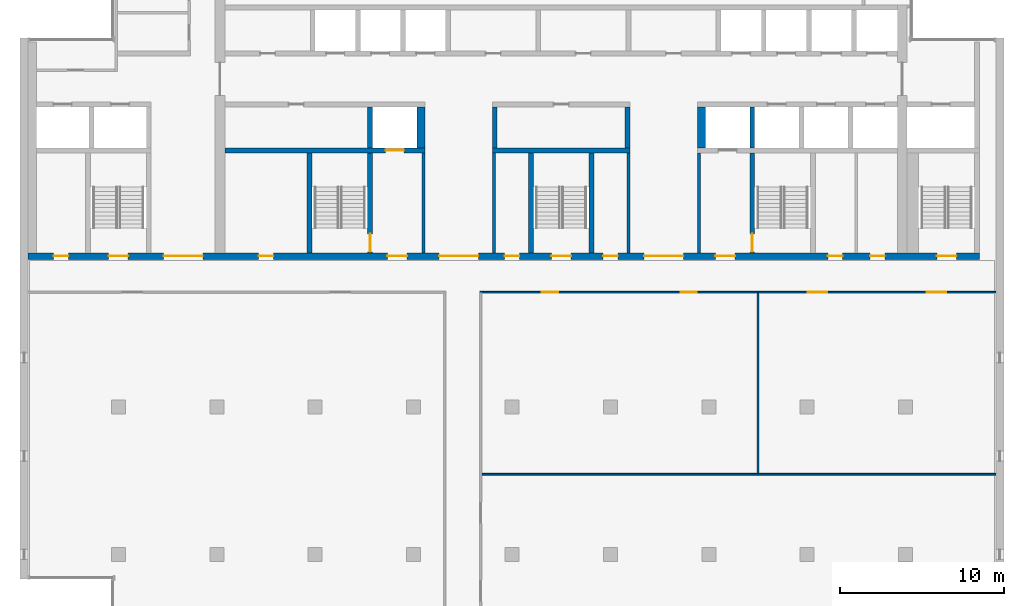
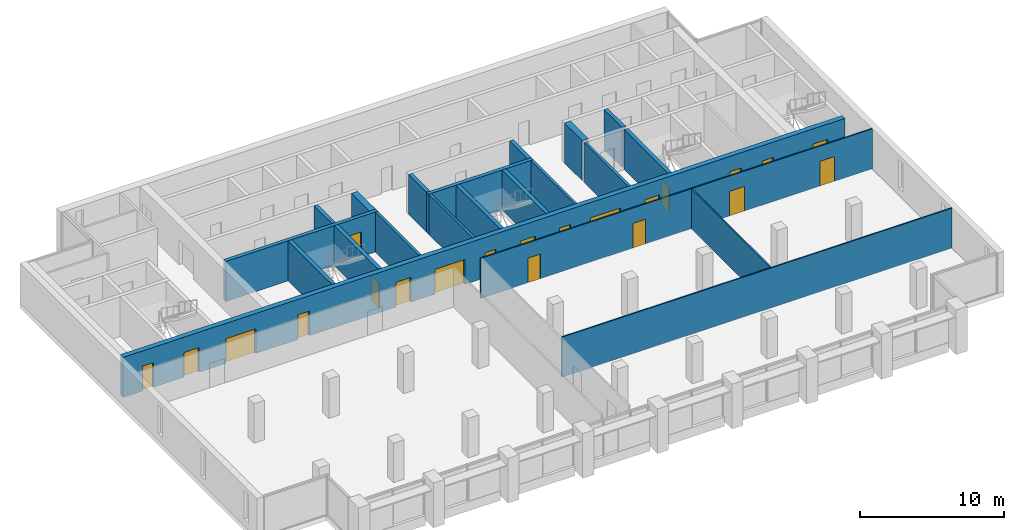
# One storey, part 8 of 14: 21 doors, 21 walls, 21 openings.
"""IFC4 building model written with IfcOpenShell, lengths in metres."""

from ifc_helpers import new_model, si_unit, direction, frame, frame_2d, origin, place, context, subcontext, project, spatial, rectangle, extrude, material, layer, layer_set, type_object, element, fill, save


model = new_model("IFC4")

# Units and contexts
model_context = context("Model", 3, precision=1e-05, world=origin(), true_north=direction((0.0, 1.0)))
body_context = subcontext(model_context, "Body", "Model", "MODEL_VIEW")
ifc_project = project(units=[si_unit("LENGTHUNIT", "METRE"), si_unit("AREAUNIT", "SQUARE_METRE"), si_unit("VOLUMEUNIT", "CUBIC_METRE"), si_unit("PLANEANGLEUNIT", "RADIAN"), si_unit("MASSUNIT", "GRAM", prefix="KILO")], contexts=[model_context])

# Site, building, storey
site_placement = place(None, origin())
site = spatial("IfcSite", under=ifc_project, at=site_placement, CompositionType="ELEMENT")
building_placement = place(site_placement, origin())
building = spatial("IfcBuilding", under=site, at=building_placement, Name="Calvaro Tower", CompositionType="ELEMENT")
storey_placement = place(building_placement, frame((0.0, 0.0, 246.949951171875)))
storey = spatial("IfcBuildingStorey", under=building, at=storey_placement, Name="L62", CompositionType="ELEMENT", Elevation=246.949951171875)

# Walls
ifc_material_1 = material(Name="Blockwork partition", Category="masonry")
ifc_layer_1 = layer(ifc_material_1, 0.199951171875)
ifc_layer_set_1 = layer_set([ifc_layer_1], Name="Blockwork partition")
wall_type_1 = type_object("IfcWallType", Name="Core partition 200 REI 120", PredefinedType="PARTITIONING", material=ifc_layer_set_1)
for number, where, z_axis, x_axis, name in (
    (1, (30.60009765625, 28.39990234375, 0.0), (0.0, 0.0, 1.0), (0.0, 1.0, 0.0), "Core partition"),
    (2, (34.89990234375, 28.39990234375, 0.0), (0.0, 0.0, 1.0), (0.0, 1.0, 0.0), "Core partition"),
    (3, (43.10009765625, 28.39990234375, 0.0), (0.0, 0.0, 1.0), (0.0, 1.0, 0.0), "Core partition"),
    (4, (47.39990234375, 28.39990234375, 0.0), (0.0, 0.0, 1.0), (0.0, 1.0, 0.0), "Core partition"),
):
    element("IfcWall", number, at=place(storey_placement, frame(where, z_axis=z_axis, x_axis=x_axis)), inside=storey, type_object=wall_type_1, Name=name, PredefinedType="PARTITIONING", context=body_context, shape_type="SweptSolid", body=[
        extrude(rectangle(XDim=6.10009765625, YDim=0.199951171875, at=frame_2d((3.050048828125, 0.0))), origin(), (0.0, 0.0, 1.0), 3.400146484375),
    ])
ifc_material_2 = material(Name="Concrete C40/50", Category="concrete")
ifc_layer_2 = layer(ifc_material_2, 0.300048828125)
ifc_layer_set_2 = layer_set([ifc_layer_2], Name="Concrete C40/50")
wall_type_2 = type_object("IfcWallType", Name="Core wall C40/50 300", PredefinedType="SHEAR", material=ifc_layer_set_2)
wall_1_placement = place(storey_placement, frame((23.64990234375, 28.39990234375, 0.0), z_axis=(0.0, 0.0, 1.0), x_axis=(0.0, 1.0, 0.0)))
element("IfcWall", 5, at=wall_1_placement, inside=storey, type_object=wall_type_2, Name="Core wall, stair enclosure", PredefinedType="SHEAR", context=body_context, shape_type="SweptSolid", body=[
    extrude(rectangle(XDim=6.10009765625, YDim=0.300048828125, at=frame_2d((3.050048828125, 0.0))), origin(), (0.0, 0.0, 1.0), 3.400146484375),
])

# Wall, opening, door
wall_2_placement = place(storey_placement, frame((27.35009765625, 28.39990234375, 0.0), z_axis=(0.0, 0.0, 1.0), x_axis=(0.0, 1.0, 0.0)))
wall_2 = element("IfcWall", 6, at=wall_2_placement, inside=storey, type_object=wall_type_2, Name="Core wall, stair enclosure", PredefinedType="SHEAR", context=body_context, shape_type="SweptSolid", body=[
    extrude(rectangle(XDim=6.10009765625, YDim=0.300048828125, at=frame_2d((3.050048828125, 0.0))), origin(), (0.0, 0.0, 1.0), 3.400146484375),
])
opening_1_placement = place(wall_2_placement, frame((0.050048828125, 0.0, 0.0)))
opening_1 = element("IfcOpeningElement", 7, at=opening_1_placement, cuts=wall_2, Name="Opening FD11D", PredefinedType="OPENING", context=body_context, shape_type="SweptSolid", body=[
    extrude(rectangle(XDim=1.10009765625, YDim=2.10009765625, at=frame_2d((0.550048828125, 1.050048828125))), frame((0.0, 0.159912109375, 0.0), z_axis=(0.0, -1.0, 0.0), x_axis=(1.0, 0.0, 0.0)), (0.0, 0.0, 1.0), 0.320068359375),
])
ifc_material_3 = material(Name="Steel door set", Category="steel")
door_type_1 = type_object("IfcDoorType", Name="Fire door 1100 FD30S", OperationType="SINGLE_SWING_LEFT", PredefinedType="DOOR", material=ifc_material_3)
door_1_placement = place(opening_1_placement, origin())
door_1 = element("IfcDoor", 8, at=door_1_placement, inside=storey, type_object=door_type_1, Name="Fire door", OperationType="SINGLE_SWING_LEFT", OverallHeight=2.10009765625, OverallWidth=1.10009765625, PredefinedType="DOOR", context=body_context, shape_type="SweptSolid", body=[
    extrude(rectangle(XDim=1.10009765625, YDim=2.10009765625, at=frame_2d((0.550048828125, 1.050048828125))), frame((0.0, 0.02490234375, 0.0), z_axis=(0.0, -1.0, 0.0), x_axis=(1.0, 0.0, 0.0)), (0.0, 0.0, 1.0), 0.050048828125),
])
fill(opening_1, door_1)

# Walls
for number, where, z_axis, x_axis, name in (
    (9, (37.14990234375, 28.39990234375, 0.0), (0.0, 0.0, 1.0), (0.0, 1.0, 0.0), "Core wall, stair enclosure"),
    (10, (40.85009765625, 28.39990234375, 0.0), (0.0, 0.0, 1.0), (0.0, 1.0, 0.0), "Core wall, stair enclosure"),
):
    element("IfcWall", number, at=place(storey_placement, frame(where, z_axis=z_axis, x_axis=x_axis)), inside=storey, type_object=wall_type_2, Name=name, PredefinedType="SHEAR", context=body_context, shape_type="SweptSolid", body=[
        extrude(rectangle(XDim=6.10009765625, YDim=0.300048828125, at=frame_2d((3.050048828125, 0.0))), origin(), (0.0, 0.0, 1.0), 3.400146484375),
    ])

# Wall, opening, door
wall_3_placement = place(storey_placement, frame((50.64990234375, 34.5, 0.0), z_axis=(0.0, 0.0, 1.0), x_axis=(0.0, -1.0, 0.0)))
wall_3 = element("IfcWall", 11, at=wall_3_placement, inside=storey, type_object=wall_type_2, Name="Core wall, stair enclosure", PredefinedType="SHEAR", context=body_context, shape_type="SweptSolid", body=[
    extrude(rectangle(XDim=6.10009765625, YDim=0.300048828125, at=frame_2d((3.050048828125, 0.0))), origin(), (0.0, 0.0, 1.0), 3.400146484375),
])
opening_2_placement = place(wall_3_placement, frame((4.949951171875, 0.0, 0.0)))
opening_2 = element("IfcOpeningElement", 12, at=opening_2_placement, cuts=wall_3, Name="Opening FD11D", PredefinedType="OPENING", context=body_context, shape_type="SweptSolid", body=[
    extrude(rectangle(XDim=1.10009765625, YDim=2.10009765625, at=frame_2d((0.550048828125, 1.050048828125))), frame((0.0, 0.159912109375, 0.0), z_axis=(0.0, -1.0, 0.0), x_axis=(1.0, 0.0, 0.0)), (0.0, 0.0, 1.0), 0.320068359375),
])
door_2_placement = place(opening_2_placement, origin())
door_2 = element("IfcDoor", 13, at=door_2_placement, inside=storey, type_object=door_type_1, Name="Fire door", OperationType="SINGLE_SWING_RIGHT", OverallHeight=2.10009765625, OverallWidth=1.10009765625, PredefinedType="DOOR", context=body_context, shape_type="SweptSolid", body=[
    extrude(rectangle(XDim=1.10009765625, YDim=2.10009765625, at=frame_2d((0.550048828125, 1.050048828125))), frame((0.0, 0.02490234375, 0.0), z_axis=(0.0, -1.0, 0.0), x_axis=(1.0, 0.0, 0.0)), (0.0, 0.0, 1.0), 0.050048828125),
])
fill(opening_2, door_2)

wall_4_placement = place(storey_placement, frame((18.5, 34.64990234375, 0.0), z_axis=(0.0, 0.0, 1.0), x_axis=(1.0, 0.0, 0.0)))
wall_4 = element("IfcWall", 14, at=wall_4_placement, inside=storey, type_object=wall_type_2, Name="Core wall, lift shaft", PredefinedType="SHEAR", context=body_context, shape_type="SweptSolid", body=[
    extrude(rectangle(XDim=12.199951171875, YDim=0.300048828125, at=frame_2d((6.10009765625, 0.0))), origin(), (0.0, 0.0, 1.0), 3.400146484375),
])
opening_3_placement = place(wall_4_placement, frame((9.800048828125, 0.0, 0.0)))
opening_3 = element("IfcOpeningElement", 15, at=opening_3_placement, cuts=wall_4, Name="Opening FF1", PredefinedType="OPENING", context=body_context, shape_type="SweptSolid", body=[
    extrude(rectangle(XDim=1.10009765625, YDim=2.10009765625, at=frame_2d((0.550048828125, 1.050048828125))), frame((0.0, 0.159912109375, 0.0), z_axis=(0.0, -1.0, 0.0), x_axis=(1.0, 0.0, 0.0)), (0.0, 0.0, 1.0), 0.320068359375),
])
ifc_material_4 = material(Name="Stainless steel", Category="steel")
door_type_2 = type_object("IfcDoorType", Name="Landing door 1100 E 60", OperationType="SLIDING_TO_LEFT", PredefinedType="DOOR", material=ifc_material_4)
door_3_placement = place(opening_3_placement, origin())
door_3 = element("IfcDoor", 16, at=door_3_placement, inside=storey, type_object=door_type_2, Name="Landing door FF1", OperationType="SLIDING_TO_LEFT", OverallHeight=2.10009765625, OverallWidth=1.10009765625, PredefinedType="DOOR", context=body_context, shape_type="SweptSolid", body=[
    extrude(rectangle(XDim=1.10009765625, YDim=2.10009765625, at=frame_2d((0.550048828125, 1.050048828125))), frame((0.0, 0.02490234375, 0.0), z_axis=(0.0, -1.0, 0.0), x_axis=(1.0, 0.0, 0.0)), (0.0, 0.0, 1.0), 0.050048828125),
])
fill(opening_3, door_3)

# Walls
wall_5_placement = place(storey_placement, frame((34.800048828125, 34.64990234375, 0.0), z_axis=(0.0, 0.0, 1.0), x_axis=(1.0, 0.0, 0.0)))
element("IfcWall", 17, at=wall_5_placement, inside=storey, type_object=wall_type_2, Name="Core wall, lift shaft", PredefinedType="SHEAR", context=body_context, shape_type="SweptSolid", body=[
    extrude(rectangle(XDim=8.39990234375, YDim=0.300048828125, at=frame_2d((4.199951171875, 0.0))), origin(), (0.0, 0.0, 1.0), 3.400146484375),
])
for number, where, z_axis, x_axis, name in (
    (18, (27.35009765625, 34.800048828125, 0.0), (0.0, 0.0, 1.0), (0.0, 1.0, 0.0), "Core wall, lift shaft"),
    (19, (34.949951171875, 34.800048828125, 0.0), (0.0, 0.0, 1.0), (0.0, 1.0, 0.0), "Core wall, lift shaft"),
    (20, (43.050048828125, 34.800048828125, 0.0), (0.0, 0.0, 1.0), (0.0, 1.0, 0.0), "Core wall, lift shaft"),
    (21, (50.64990234375, 34.800048828125, 0.0), (0.0, 0.0, 1.0), (0.0, 1.0, 0.0), "Core wall, lift shaft"),
):
    element("IfcWall", number, at=place(storey_placement, frame(where, z_axis=z_axis, x_axis=x_axis)), inside=storey, type_object=wall_type_2, Name=name, PredefinedType="SHEAR", context=body_context, shape_type="SweptSolid", body=[
        extrude(rectangle(XDim=2.5, YDim=0.300048828125, at=frame_2d((1.25, 0.0))), origin(), (0.0, 0.0, 1.0), 3.400146484375),
    ])

# Wall, openings, doors
ifc_material_5 = material(Name="Concrete C40/50", Category="concrete")
ifc_layer_3 = layer(ifc_material_5, 0.39990234375)
ifc_layer_set_3 = layer_set([ifc_layer_3], Name="Concrete C40/50")
wall_type_3 = type_object("IfcWallType", Name="Core wall C40/50 400", PredefinedType="SHEAR", material=ifc_layer_set_3)
wall_6_placement = place(storey_placement, frame((6.5, 28.199951171875, 0.0), z_axis=(0.0, 0.0, 1.0), x_axis=(1.0, 0.0, 0.0)))
wall_6 = element("IfcWall", 22, at=wall_6_placement, inside=storey, type_object=wall_type_3, Name="Core wall, front", PredefinedType="SHEAR", context=body_context, shape_type="SweptSolid", body=[
    extrude(rectangle(XDim=58.0, YDim=0.39990234375, at=frame_2d((29.0, 0.0))), origin(), (0.0, 0.0, 1.0), 3.400146484375),
])
opening_4_placement = place(wall_6_placement, frame((14.050048828125, 0.0, 0.0)))
opening_4 = element("IfcOpeningElement", 23, at=opening_4_placement, cuts=wall_6, Name="Opening RD9E", PredefinedType="OPENING", context=body_context, shape_type="SweptSolid", body=[
    extrude(rectangle(XDim=0.89990234375, YDim=2.10009765625, at=frame_2d((0.449951171875, 1.050048828125))), frame((0.0, 0.2099609375, 0.0), z_axis=(0.0, -1.0, 0.0), x_axis=(1.0, 0.0, 0.0)), (0.0, 0.0, 1.0), 0.419921875),
])
opening_5_placement = place(wall_6_placement, frame((48.762451171875, 0.0, 0.0)))
opening_5 = element("IfcOpeningElement", 24, at=opening_5_placement, cuts=wall_6, Name="Opening RD9C", PredefinedType="OPENING", context=body_context, shape_type="SweptSolid", body=[
    extrude(rectangle(XDim=0.89990234375, YDim=2.10009765625, at=frame_2d((0.449951171875, 1.050048828125))), frame((0.0, 0.2099609375, 0.0), z_axis=(0.0, -1.0, 0.0), x_axis=(1.0, 0.0, 0.0)), (0.0, 0.0, 1.0), 0.419921875),
])
opening_6_placement = place(wall_6_placement, frame((51.33740234375, 0.0, 0.0)))
opening_6 = element("IfcOpeningElement", 25, at=opening_6_placement, cuts=wall_6, Name="Opening RD9C", PredefinedType="OPENING", context=body_context, shape_type="SweptSolid", body=[
    extrude(rectangle(XDim=0.89990234375, YDim=2.10009765625, at=frame_2d((0.449951171875, 1.050048828125))), frame((0.0, 0.2099609375, 0.0), z_axis=(0.0, -1.0, 0.0), x_axis=(1.0, 0.0, 0.0)), (0.0, 0.0, 1.0), 0.419921875),
])
opening_7_placement = place(wall_6_placement, frame((1.550048828125, 0.0, 0.0)))
opening_7 = element("IfcOpeningElement", 26, at=opening_7_placement, cuts=wall_6, Name="Opening RD9C", PredefinedType="OPENING", context=body_context, shape_type="SweptSolid", body=[
    extrude(rectangle(XDim=0.89990234375, YDim=2.10009765625, at=frame_2d((0.449951171875, 1.050048828125))), frame((0.0, 0.2099609375, 0.0), z_axis=(0.0, -1.0, 0.0), x_axis=(1.0, 0.0, 0.0)), (0.0, 0.0, 1.0), 0.419921875),
])
opening_8_placement = place(wall_6_placement, frame((4.89990234375, 0.0, 0.0)))
opening_8 = element("IfcOpeningElement", 27, at=opening_8_placement, cuts=wall_6, Name="Opening SD12D", PredefinedType="OPENING", context=body_context, shape_type="SweptSolid", body=[
    extrude(rectangle(XDim=1.199951171875, YDim=2.10009765625, at=frame_2d((0.60009765625, 1.050048828125))), frame((0.0, 0.2099609375, 0.0), z_axis=(0.0, -1.0, 0.0), x_axis=(1.0, 0.0, 0.0)), (0.0, 0.0, 1.0), 0.419921875),
])
opening_9_placement = place(wall_6_placement, frame((31.89990234375, 0.0, 0.0)))
opening_9 = element("IfcOpeningElement", 28, at=opening_9_placement, cuts=wall_6, Name="Opening SD12D", PredefinedType="OPENING", context=body_context, shape_type="SweptSolid", body=[
    extrude(rectangle(XDim=1.199951171875, YDim=2.10009765625, at=frame_2d((0.60009765625, 1.050048828125))), frame((0.0, 0.2099609375, 0.0), z_axis=(0.0, -1.0, 0.0), x_axis=(1.0, 0.0, 0.0)), (0.0, 0.0, 1.0), 0.419921875),
])
opening_10_placement = place(wall_6_placement, frame((55.39990234375, 0.0, 0.0)))
opening_10 = element("IfcOpeningElement", 29, at=opening_10_placement, cuts=wall_6, Name="Opening SD12D", PredefinedType="OPENING", context=body_context, shape_type="SweptSolid", body=[
    extrude(rectangle(XDim=1.199951171875, YDim=2.10009765625, at=frame_2d((0.60009765625, 1.050048828125))), frame((0.0, 0.2099609375, 0.0), z_axis=(0.0, -1.0, 0.0), x_axis=(1.0, 0.0, 0.0)), (0.0, 0.0, 1.0), 0.419921875),
])
opening_11_placement = place(wall_6_placement, frame((21.89990234375, 0.0, 0.0)))
opening_11 = element("IfcOpeningElement", 30, at=opening_11_placement, cuts=wall_6, Name="Opening FD12F", PredefinedType="OPENING", context=body_context, shape_type="SweptSolid", body=[
    extrude(rectangle(XDim=1.199951171875, YDim=2.10009765625, at=frame_2d((0.60009765625, 1.050048828125))), frame((0.0, 0.2099609375, 0.0), z_axis=(0.0, -1.0, 0.0), x_axis=(1.0, 0.0, 0.0)), (0.0, 0.0, 1.0), 0.419921875),
])
opening_12_placement = place(wall_6_placement, frame((41.89990234375, 0.0, 0.0)))
opening_12 = element("IfcOpeningElement", 31, at=opening_12_placement, cuts=wall_6, Name="Opening FD12F", PredefinedType="OPENING", context=body_context, shape_type="SweptSolid", body=[
    extrude(rectangle(XDim=1.199951171875, YDim=2.10009765625, at=frame_2d((0.60009765625, 1.050048828125))), frame((0.0, 0.2099609375, 0.0), z_axis=(0.0, -1.0, 0.0), x_axis=(1.0, 0.0, 0.0)), (0.0, 0.0, 1.0), 0.419921875),
])
opening_13_placement = place(wall_6_placement, frame((25.050048828125, 0.0, 0.0)))
opening_13 = element("IfcOpeningElement", 32, at=opening_13_placement, cuts=wall_6, Name="Opening DD24D", PredefinedType="OPENING", context=body_context, shape_type="SweptSolid", body=[
    extrude(rectangle(XDim=2.39990234375, YDim=2.10009765625, at=frame_2d((1.199951171875, 1.050048828125))), frame((0.0, 0.2099609375, 0.0), z_axis=(0.0, -1.0, 0.0), x_axis=(1.0, 0.0, 0.0)), (0.0, 0.0, 1.0), 0.419921875),
])
opening_14_placement = place(wall_6_placement, frame((37.550048828125, 0.0, 0.0)))
opening_14 = element("IfcOpeningElement", 33, at=opening_14_placement, cuts=wall_6, Name="Opening DD24D", PredefinedType="OPENING", context=body_context, shape_type="SweptSolid", body=[
    extrude(rectangle(XDim=2.39990234375, YDim=2.10009765625, at=frame_2d((1.199951171875, 1.050048828125))), frame((0.0, 0.2099609375, 0.0), z_axis=(0.0, -1.0, 0.0), x_axis=(1.0, 0.0, 0.0)), (0.0, 0.0, 1.0), 0.419921875),
])
opening_15_placement = place(wall_6_placement, frame((8.25, 0.0, 0.0)))
opening_15 = element("IfcOpeningElement", 34, at=opening_15_placement, cuts=wall_6, Name="Opening DD24D", PredefinedType="OPENING", context=body_context, shape_type="SweptSolid", body=[
    extrude(rectangle(XDim=2.39990234375, YDim=2.10009765625, at=frame_2d((1.199951171875, 1.050048828125))), frame((0.0, 0.2099609375, 0.0), z_axis=(0.0, -1.0, 0.0), x_axis=(1.0, 0.0, 0.0)), (0.0, 0.0, 1.0), 0.419921875),
])
opening_16_placement = place(wall_6_placement, frame((29.050048828125, 0.0, 0.0)))
opening_16 = element("IfcOpeningElement", 35, at=opening_16_placement, cuts=wall_6, Name="Opening RD9E", PredefinedType="OPENING", context=body_context, shape_type="SweptSolid", body=[
    extrude(rectangle(XDim=0.89990234375, YDim=2.10009765625, at=frame_2d((0.449951171875, 1.050048828125))), frame((0.0, 0.2099609375, 0.0), z_axis=(0.0, -1.0, 0.0), x_axis=(1.0, 0.0, 0.0)), (0.0, 0.0, 1.0), 0.419921875),
])
opening_17_placement = place(wall_6_placement, frame((35.050048828125, 0.0, 0.0)))
opening_17 = element("IfcOpeningElement", 36, at=opening_17_placement, cuts=wall_6, Name="Opening RD9E", PredefinedType="OPENING", context=body_context, shape_type="SweptSolid", body=[
    extrude(rectangle(XDim=0.89990234375, YDim=2.10009765625, at=frame_2d((0.449951171875, 1.050048828125))), frame((0.0, 0.2099609375, 0.0), z_axis=(0.0, -1.0, 0.0), x_axis=(1.0, 0.0, 0.0)), (0.0, 0.0, 1.0), 0.419921875),
])
ifc_material_6 = material(Name="Steel door set", Category="steel")
door_type_3 = type_object("IfcDoorType", Name="Fire door 1200 FD60S", OperationType="SINGLE_SWING_LEFT", PredefinedType="DOOR", material=ifc_material_6)
door_4_placement = place(opening_11_placement, origin())
door_4 = element("IfcDoor", 37, at=door_4_placement, inside=storey, type_object=door_type_3, Name="Fire door", OperationType="SINGLE_SWING_LEFT", OverallHeight=2.10009765625, OverallWidth=1.199951171875, PredefinedType="DOOR", context=body_context, shape_type="SweptSolid", body=[
    extrude(rectangle(XDim=1.199951171875, YDim=2.10009765625, at=frame_2d((0.60009765625, 1.050048828125))), frame((0.0, 0.02490234375, 0.0), z_axis=(0.0, -1.0, 0.0), x_axis=(1.0, 0.0, 0.0)), (0.0, 0.0, 1.0), 0.050048828125),
])
fill(opening_11, door_4)
door_5_placement = place(opening_12_placement, origin())
door_5 = element("IfcDoor", 38, at=door_5_placement, inside=storey, type_object=door_type_3, Name="Fire door", OperationType="SINGLE_SWING_LEFT", OverallHeight=2.10009765625, OverallWidth=1.199951171875, PredefinedType="DOOR", context=body_context, shape_type="SweptSolid", body=[
    extrude(rectangle(XDim=1.199951171875, YDim=2.10009765625, at=frame_2d((0.60009765625, 1.050048828125))), frame((0.0, 0.02490234375, 0.0), z_axis=(0.0, -1.0, 0.0), x_axis=(1.0, 0.0, 0.0)), (0.0, 0.0, 1.0), 0.050048828125),
])
fill(opening_12, door_5)
ifc_material_7 = material(Name="Steel door set", Category="steel")
door_type_4 = type_object("IfcDoorType", Name="Lobby double door 2400 FD30S", OperationType="DOUBLE_DOOR_SINGLE_SWING", PredefinedType="DOOR", material=ifc_material_7)
door_6_placement = place(opening_13_placement, origin())
door_6 = element("IfcDoor", 39, at=door_6_placement, inside=storey, type_object=door_type_4, Name="Lobby double door", OperationType="DOUBLE_DOOR_SINGLE_SWING", OverallHeight=2.10009765625, OverallWidth=2.39990234375, PredefinedType="DOOR", context=body_context, shape_type="SweptSolid", body=[
    extrude(rectangle(XDim=2.39990234375, YDim=2.10009765625, at=frame_2d((1.199951171875, 1.050048828125))), frame((0.0, 0.02490234375, 0.0), z_axis=(0.0, -1.0, 0.0), x_axis=(1.0, 0.0, 0.0)), (0.0, 0.0, 1.0), 0.050048828125),
])
fill(opening_13, door_6)
door_7_placement = place(opening_14_placement, origin())
door_7 = element("IfcDoor", 40, at=door_7_placement, inside=storey, type_object=door_type_4, Name="Lobby double door", OperationType="DOUBLE_DOOR_SINGLE_SWING", OverallHeight=2.10009765625, OverallWidth=2.39990234375, PredefinedType="DOOR", context=body_context, shape_type="SweptSolid", body=[
    extrude(rectangle(XDim=2.39990234375, YDim=2.10009765625, at=frame_2d((1.199951171875, 1.050048828125))), frame((0.0, 0.02490234375, 0.0), z_axis=(0.0, -1.0, 0.0), x_axis=(1.0, 0.0, 0.0)), (0.0, 0.0, 1.0), 0.050048828125),
])
fill(opening_14, door_7)
door_8_placement = place(opening_15_placement, origin())
door_8 = element("IfcDoor", 41, at=door_8_placement, inside=storey, type_object=door_type_4, Name="Lobby double door", OperationType="DOUBLE_DOOR_SINGLE_SWING", OverallHeight=2.10009765625, OverallWidth=2.39990234375, PredefinedType="DOOR", context=body_context, shape_type="SweptSolid", body=[
    extrude(rectangle(XDim=2.39990234375, YDim=2.10009765625, at=frame_2d((1.199951171875, 1.050048828125))), frame((0.0, 0.02490234375, 0.0), z_axis=(0.0, -1.0, 0.0), x_axis=(1.0, 0.0, 0.0)), (0.0, 0.0, 1.0), 0.050048828125),
])
fill(opening_15, door_8)
ifc_material_8 = material(Name="Steel door set", Category="steel")
door_type_5 = type_object("IfcDoorType", Name="Room door 900 FD30", OperationType="SINGLE_SWING_LEFT", PredefinedType="DOOR", material=ifc_material_8)
door_9_placement = place(opening_5_placement, origin())
door_9 = element("IfcDoor", 42, at=door_9_placement, inside=storey, type_object=door_type_5, Name="Room door", OperationType="SINGLE_SWING_LEFT", OverallHeight=2.10009765625, OverallWidth=0.89990234375, PredefinedType="DOOR", context=body_context, shape_type="SweptSolid", body=[
    extrude(rectangle(XDim=0.89990234375, YDim=2.10009765625, at=frame_2d((0.449951171875, 1.050048828125))), frame((0.0, 0.02490234375, 0.0), z_axis=(0.0, -1.0, 0.0), x_axis=(1.0, 0.0, 0.0)), (0.0, 0.0, 1.0), 0.050048828125),
])
fill(opening_5, door_9)
door_10_placement = place(opening_6_placement, origin())
door_10 = element("IfcDoor", 43, at=door_10_placement, inside=storey, type_object=door_type_5, Name="Room door", OperationType="SINGLE_SWING_LEFT", OverallHeight=2.10009765625, OverallWidth=0.89990234375, PredefinedType="DOOR", context=body_context, shape_type="SweptSolid", body=[
    extrude(rectangle(XDim=0.89990234375, YDim=2.10009765625, at=frame_2d((0.449951171875, 1.050048828125))), frame((0.0, 0.02490234375, 0.0), z_axis=(0.0, -1.0, 0.0), x_axis=(1.0, 0.0, 0.0)), (0.0, 0.0, 1.0), 0.050048828125),
])
fill(opening_6, door_10)
door_11_placement = place(opening_7_placement, origin())
door_11 = element("IfcDoor", 44, at=door_11_placement, inside=storey, type_object=door_type_5, Name="Room door", OperationType="SINGLE_SWING_LEFT", OverallHeight=2.10009765625, OverallWidth=0.89990234375, PredefinedType="DOOR", context=body_context, shape_type="SweptSolid", body=[
    extrude(rectangle(XDim=0.89990234375, YDim=2.10009765625, at=frame_2d((0.449951171875, 1.050048828125))), frame((0.0, 0.02490234375, 0.0), z_axis=(0.0, -1.0, 0.0), x_axis=(1.0, 0.0, 0.0)), (0.0, 0.0, 1.0), 0.050048828125),
])
fill(opening_7, door_11)
ifc_material_9 = material(Name="Steel door set", Category="steel")
door_type_6 = type_object("IfcDoorType", Name="Room door 900 FD60", OperationType="SINGLE_SWING_LEFT", PredefinedType="DOOR", material=ifc_material_9)
door_12_placement = place(opening_4_placement, origin())
door_12 = element("IfcDoor", 45, at=door_12_placement, inside=storey, type_object=door_type_6, Name="Room door", OperationType="SINGLE_SWING_LEFT", OverallHeight=2.10009765625, OverallWidth=0.89990234375, PredefinedType="DOOR", context=body_context, shape_type="SweptSolid", body=[
    extrude(rectangle(XDim=0.89990234375, YDim=2.10009765625, at=frame_2d((0.449951171875, 1.050048828125))), frame((0.0, 0.02490234375, 0.0), z_axis=(0.0, -1.0, 0.0), x_axis=(1.0, 0.0, 0.0)), (0.0, 0.0, 1.0), 0.050048828125),
])
fill(opening_4, door_12)
door_13_placement = place(opening_16_placement, origin())
door_13 = element("IfcDoor", 46, at=door_13_placement, inside=storey, type_object=door_type_6, Name="Room door", OperationType="SINGLE_SWING_LEFT", OverallHeight=2.10009765625, OverallWidth=0.89990234375, PredefinedType="DOOR", context=body_context, shape_type="SweptSolid", body=[
    extrude(rectangle(XDim=0.89990234375, YDim=2.10009765625, at=frame_2d((0.449951171875, 1.050048828125))), frame((0.0, 0.02490234375, 0.0), z_axis=(0.0, -1.0, 0.0), x_axis=(1.0, 0.0, 0.0)), (0.0, 0.0, 1.0), 0.050048828125),
])
fill(opening_16, door_13)
door_14_placement = place(opening_17_placement, origin())
door_14 = element("IfcDoor", 47, at=door_14_placement, inside=storey, type_object=door_type_6, Name="Room door", OperationType="SINGLE_SWING_LEFT", OverallHeight=2.10009765625, OverallWidth=0.89990234375, PredefinedType="DOOR", context=body_context, shape_type="SweptSolid", body=[
    extrude(rectangle(XDim=0.89990234375, YDim=2.10009765625, at=frame_2d((0.449951171875, 1.050048828125))), frame((0.0, 0.02490234375, 0.0), z_axis=(0.0, -1.0, 0.0), x_axis=(1.0, 0.0, 0.0)), (0.0, 0.0, 1.0), 0.050048828125),
])
fill(opening_17, door_14)
ifc_material_10 = material(Name="Steel door set", Category="steel")
door_type_7 = type_object("IfcDoorType", Name="Stair door 1200 FD30S", OperationType="SINGLE_SWING_LEFT", PredefinedType="DOOR", material=ifc_material_10)
door_15_placement = place(opening_8_placement, origin())
door_15 = element("IfcDoor", 48, at=door_15_placement, inside=storey, type_object=door_type_7, Name="Stair door", OperationType="SINGLE_SWING_LEFT", OverallHeight=2.10009765625, OverallWidth=1.199951171875, PredefinedType="DOOR", context=body_context, shape_type="SweptSolid", body=[
    extrude(rectangle(XDim=1.199951171875, YDim=2.10009765625, at=frame_2d((0.60009765625, 1.050048828125))), frame((0.0, 0.02490234375, 0.0), z_axis=(0.0, -1.0, 0.0), x_axis=(1.0, 0.0, 0.0)), (0.0, 0.0, 1.0), 0.050048828125),
])
fill(opening_8, door_15)
door_16_placement = place(opening_9_placement, origin())
door_16 = element("IfcDoor", 49, at=door_16_placement, inside=storey, type_object=door_type_7, Name="Stair door", OperationType="SINGLE_SWING_LEFT", OverallHeight=2.10009765625, OverallWidth=1.199951171875, PredefinedType="DOOR", context=body_context, shape_type="SweptSolid", body=[
    extrude(rectangle(XDim=1.199951171875, YDim=2.10009765625, at=frame_2d((0.60009765625, 1.050048828125))), frame((0.0, 0.02490234375, 0.0), z_axis=(0.0, -1.0, 0.0), x_axis=(1.0, 0.0, 0.0)), (0.0, 0.0, 1.0), 0.050048828125),
])
fill(opening_9, door_16)
door_17_placement = place(opening_10_placement, origin())
door_17 = element("IfcDoor", 50, at=door_17_placement, inside=storey, type_object=door_type_7, Name="Stair door", OperationType="SINGLE_SWING_LEFT", OverallHeight=2.10009765625, OverallWidth=1.199951171875, PredefinedType="DOOR", context=body_context, shape_type="SweptSolid", body=[
    extrude(rectangle(XDim=1.199951171875, YDim=2.10009765625, at=frame_2d((0.60009765625, 1.050048828125))), frame((0.0, 0.02490234375, 0.0), z_axis=(0.0, -1.0, 0.0), x_axis=(1.0, 0.0, 0.0)), (0.0, 0.0, 1.0), 0.050048828125),
])
fill(opening_10, door_17)

# Walls
ifc_material_11 = material(Name="Concrete C40/50", Category="concrete")
ifc_layer_4 = layer(ifc_material_11, 0.5)
ifc_layer_set_4 = layer_set([ifc_layer_4], Name="Concrete C40/50")
wall_type_4 = type_object("IfcWallType", Name="Core wall C40/50 500", PredefinedType="SHEAR", material=ifc_layer_set_4)
for number, where, z_axis, x_axis, name in (
    (51, (30.449951171875, 34.800048828125, 0.0), (0.0, 0.0, 1.0), (0.0, 1.0, 0.0), "Core wall, lift shaft"),
    (52, (47.550048828125, 34.800048828125, 0.0), (0.0, 0.0, 1.0), (0.0, 1.0, 0.0), "Core wall, lift shaft"),
):
    element("IfcWall", number, at=place(storey_placement, frame(where, z_axis=z_axis, x_axis=x_axis)), inside=storey, type_object=wall_type_4, Name=name, PredefinedType="SHEAR", context=body_context, shape_type="SweptSolid", body=[
        extrude(rectangle(XDim=2.5, YDim=0.5, at=frame_2d((1.25, 0.0))), origin(), (0.0, 0.0, 1.0), 3.400146484375),
    ])
ifc_material_12 = material(Name="Plasterboard on steel studs", Category="steel")
ifc_layer_5 = layer(ifc_material_12, 0.10009765625)
ifc_layer_set_5 = layer_set([ifc_layer_5], Name="Plasterboard on steel studs")
wall_type_5 = type_object("IfcWallType", Name="Partition 100 REI 120", PredefinedType="PARTITIONING", material=ifc_layer_set_5)
wall_7_placement = place(storey_placement, frame((34.14990234375, 14.89990234375, 0.0), z_axis=(0.0, 0.0, 1.0), x_axis=(1.0, 0.0, 0.0)))
element("IfcWall", 53, at=wall_7_placement, inside=storey, type_object=wall_type_5, Name="Partition T35.W001", PredefinedType="PARTITIONING", context=body_context, shape_type="SweptSolid", body=[
    extrude(rectangle(XDim=31.35009765625, YDim=0.10009765625, at=frame_2d((15.675048828125, 0.0))), origin(), (0.0, 0.0, 1.0), 3.400146484375),
])

# Wall, openings, doors
wall_8_placement = place(storey_placement, frame((34.050048828125, 26.0, 0.0), z_axis=(0.0, 0.0, 1.0), x_axis=(1.0, 0.0, 0.0)))
wall_8 = element("IfcWall", 54, at=wall_8_placement, inside=storey, type_object=wall_type_5, Name="Partition T35.W003", PredefinedType="PARTITIONING", context=body_context, shape_type="SweptSolid", body=[
    extrude(rectangle(XDim=31.449951171875, YDim=0.10009765625, at=frame_2d((15.72509765625, 0.0))), origin(), (0.0, 0.0, 1.0), 3.400146484375),
])
opening_18_placement = place(wall_8_placement, frame((19.97509765625, 0.0, 0.0)))
opening_18 = element("IfcOpeningElement", 55, at=opening_18_placement, cuts=wall_8, Name="Opening T35.005", PredefinedType="OPENING", context=body_context, shape_type="SweptSolid", body=[
    extrude(rectangle(XDim=1.199951171875, YDim=2.10009765625, at=frame_2d((0.60009765625, 1.050048828125))), frame((0.0, 0.06005859375, 0.0), z_axis=(0.0, -1.0, 0.0), x_axis=(1.0, 0.0, 0.0)), (0.0, 0.0, 1.0), 0.1201171875),
])
opening_19_placement = place(wall_8_placement, frame((27.22509765625, 0.0, 0.0)))
opening_19 = element("IfcOpeningElement", 56, at=opening_19_placement, cuts=wall_8, Name="Opening T35.006", PredefinedType="OPENING", context=body_context, shape_type="SweptSolid", body=[
    extrude(rectangle(XDim=1.199951171875, YDim=2.10009765625, at=frame_2d((0.60009765625, 1.050048828125))), frame((0.0, 0.06005859375, 0.0), z_axis=(0.0, -1.0, 0.0), x_axis=(1.0, 0.0, 0.0)), (0.0, 0.0, 1.0), 0.1201171875),
])
opening_20_placement = place(wall_8_placement, frame((3.77490234375, 0.0, 0.0)))
opening_20 = element("IfcOpeningElement", 57, at=opening_20_placement, cuts=wall_8, Name="Opening T35.007", PredefinedType="OPENING", context=body_context, shape_type="SweptSolid", body=[
    extrude(rectangle(XDim=1.0, YDim=2.10009765625, at=frame_2d((0.5, 1.050048828125))), frame((0.0, 0.06005859375, 0.0), z_axis=(0.0, -1.0, 0.0), x_axis=(1.0, 0.0, 0.0)), (0.0, 0.0, 1.0), 0.1201171875),
])
opening_21_placement = place(wall_8_placement, frame((12.22509765625, 0.0, 0.0)))
opening_21 = element("IfcOpeningElement", 58, at=opening_21_placement, cuts=wall_8, Name="Opening T35.008", PredefinedType="OPENING", context=body_context, shape_type="SweptSolid", body=[
    extrude(rectangle(XDim=1.0, YDim=2.10009765625, at=frame_2d((0.5, 1.050048828125))), frame((0.0, 0.06005859375, 0.0), z_axis=(0.0, -1.0, 0.0), x_axis=(1.0, 0.0, 0.0)), (0.0, 0.0, 1.0), 0.1201171875),
])
ifc_material_13 = material(Name="Timber", Category="wood")
door_type_8 = type_object("IfcDoorType", Name="Internal single door 1000 x 2100 FD60", OperationType="SINGLE_SWING_LEFT", PredefinedType="DOOR", material=ifc_material_13)
door_18_placement = place(opening_20_placement, origin())
door_18 = element("IfcDoor", 59, at=door_18_placement, inside=storey, type_object=door_type_8, Name="Door T35.007", OperationType="SINGLE_SWING_LEFT", OverallHeight=2.10009765625, OverallWidth=1.0, PredefinedType="DOOR", context=body_context, shape_type="SweptSolid", body=[
    extrude(rectangle(XDim=1.0, YDim=2.10009765625, at=frame_2d((0.5, 1.050048828125))), frame((0.0, 0.02490234375, 0.0), z_axis=(0.0, -1.0, 0.0), x_axis=(1.0, 0.0, 0.0)), (0.0, 0.0, 1.0), 0.050048828125),
])
fill(opening_20, door_18)
door_19_placement = place(opening_21_placement, origin())
door_19 = element("IfcDoor", 60, at=door_19_placement, inside=storey, type_object=door_type_8, Name="Door T35.008", OperationType="SINGLE_SWING_LEFT", OverallHeight=2.10009765625, OverallWidth=1.0, PredefinedType="DOOR", context=body_context, shape_type="SweptSolid", body=[
    extrude(rectangle(XDim=1.0, YDim=2.10009765625, at=frame_2d((0.5, 1.050048828125))), frame((0.0, 0.02490234375, 0.0), z_axis=(0.0, -1.0, 0.0), x_axis=(1.0, 0.0, 0.0)), (0.0, 0.0, 1.0), 0.050048828125),
])
fill(opening_21, door_19)
ifc_material_14 = material(Name="Timber", Category="wood")
door_type_9 = type_object("IfcDoorType", Name="Internal single door 1200 x 2100", OperationType="SINGLE_SWING_LEFT", PredefinedType="DOOR", material=ifc_material_14)
door_20_placement = place(opening_18_placement, origin())
door_20 = element("IfcDoor", 61, at=door_20_placement, inside=storey, type_object=door_type_9, Name="Door T35.005", OperationType="SINGLE_SWING_RIGHT", OverallHeight=2.10009765625, OverallWidth=1.199951171875, PredefinedType="DOOR", context=body_context, shape_type="SweptSolid", body=[
    extrude(rectangle(XDim=1.199951171875, YDim=2.10009765625, at=frame_2d((0.60009765625, 1.050048828125))), frame((0.0, 0.02490234375, 0.0), z_axis=(0.0, -1.0, 0.0), x_axis=(1.0, 0.0, 0.0)), (0.0, 0.0, 1.0), 0.050048828125),
])
fill(opening_18, door_20)
door_21_placement = place(opening_19_placement, origin())
door_21 = element("IfcDoor", 62, at=door_21_placement, inside=storey, type_object=door_type_9, Name="Door T35.006", OperationType="SINGLE_SWING_RIGHT", OverallHeight=2.10009765625, OverallWidth=1.199951171875, PredefinedType="DOOR", context=body_context, shape_type="SweptSolid", body=[
    extrude(rectangle(XDim=1.199951171875, YDim=2.10009765625, at=frame_2d((0.60009765625, 1.050048828125))), frame((0.0, 0.02490234375, 0.0), z_axis=(0.0, -1.0, 0.0), x_axis=(1.0, 0.0, 0.0)), (0.0, 0.0, 1.0), 0.050048828125),
])
fill(opening_19, door_21)

# Wall
wall_9_placement = place(storey_placement, frame((51.0, 14.949951171875, 0.0), z_axis=(0.0, 0.0, 1.0), x_axis=(0.0, 1.0, 0.0)))
element("IfcWall", 63, at=wall_9_placement, inside=storey, type_object=wall_type_5, Name="Partition T35.W006", PredefinedType="PARTITIONING", context=body_context, shape_type="SweptSolid", body=[
    extrude(rectangle(XDim=11.0, YDim=0.10009765625, at=frame_2d((5.5, 0.0))), origin(), (0.0, 0.0, 1.0), 3.400146484375),
])

save(model, "model.ifc")
